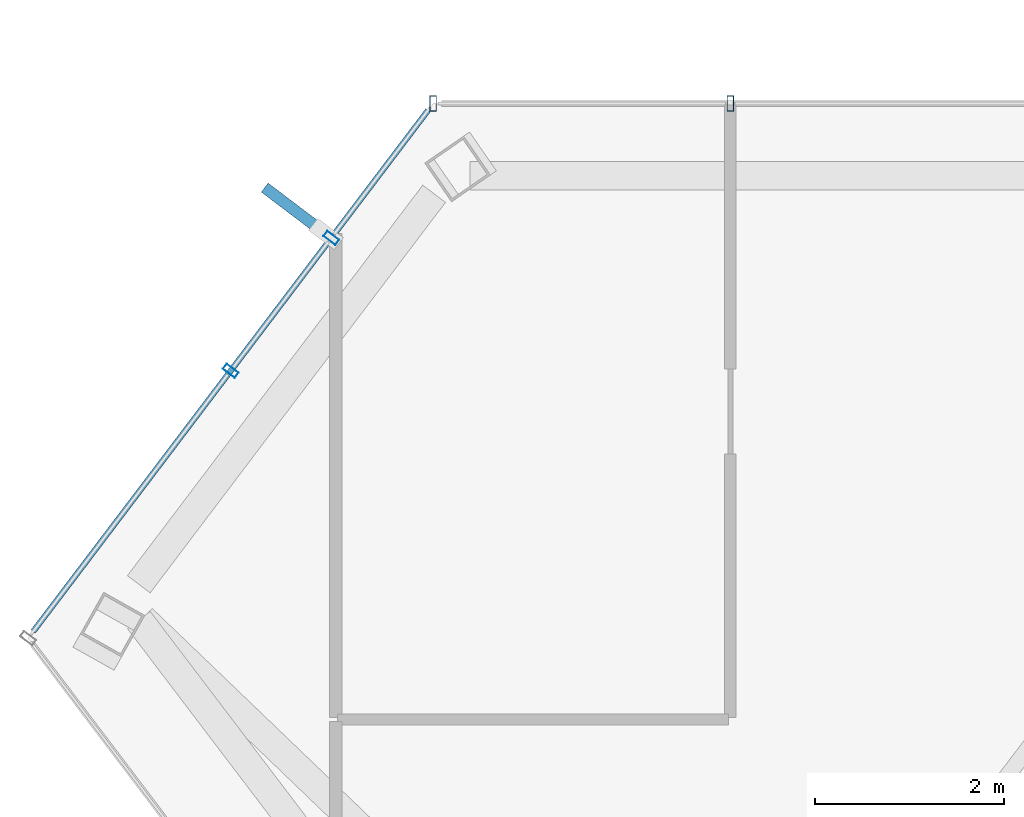
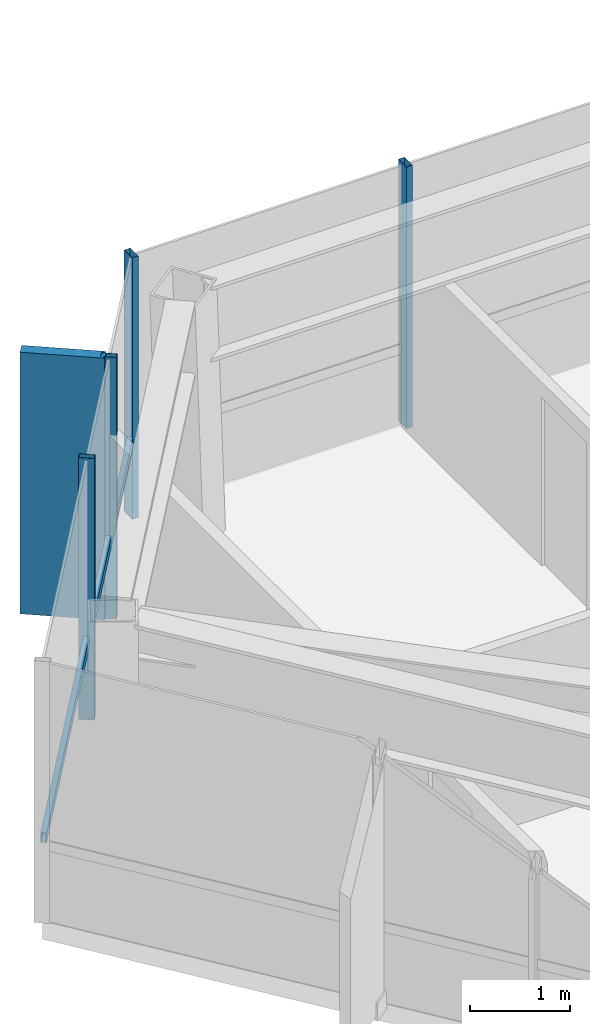
# One storey, part 11 of 26: 6 members, 2 elements without a shape of their own.
"""IFC4 building model written with IfcOpenShell, lengths in metres."""

import ifcopenshell
import ifcopenshell.guid

model = None  # the IFC model being written
_history = None  # IfcOwnerHistory: only IFC2X3 demands one
_inside = {}  # id of a spatial element -> (the spatial element, [elements in it])
_under = {}  # id of a project, library or spatial element -> (it, [spatial elements below it])
_declared = {}  # id of a project -> (the project, [libraries it declares])
_typed = {}  # id of a type object -> (the type object, [elements of that type])
_made_of = {}  # id of a material, layer set ... -> (it, [elements and type objects made of it])


def new_model(schema):
    """Start an empty IFC model of exactly this schema.

    Asked for "IFC4X3", IfcOpenShell would pick the latest addendum, in which some entities
    have other attributes; the version numbers below select the first issue.
    IFC2X3 requires an IfcOwnerHistory on every rooted entity: one is made here for all.
    """
    global model, _history
    if schema == "IFC4X3":
        model = ifcopenshell.file(schema_version=(4, 3, 0, 0))
    else:
        model = ifcopenshell.file(schema=schema)
    _inside.clear()
    _under.clear()
    _declared.clear()
    _typed.clear()
    _made_of.clear()
    _history = None
    if model.schema == "IFC2X3":
        org = make("IfcOrganization", Name="unknown")
        user = make(
            "IfcPersonAndOrganization",
            ThePerson=make("IfcPerson", FamilyName="unknown"),
            TheOrganization=org,
        )
        app = make(
            "IfcApplication",
            ApplicationDeveloper=org,
            Version="unknown",
            ApplicationFullName="unknown",
            ApplicationIdentifier="unknown",
        )
        _history = make(
            "IfcOwnerHistory",
            OwningUser=user,
            OwningApplication=app,
            ChangeAction="ADDED",
            CreationDate=0,
        )
    return model


def make(cls, **values):
    """One entity of the class cls with the attributes given. An attribute that is None is left unset."""
    return model.create_entity(
        cls, **{name: value for name, value in values.items() if value is not None}
    )


def rooted(cls, **values):
    """An entity with a GlobalId (a new one), such as an element, a storey or a relation."""
    return make(cls, GlobalId=ifcopenshell.guid.new(), OwnerHistory=_history, **values)


def si_unit(unit_type, name, prefix=None):
    """IfcSIUnit, for example si_unit("LENGTHUNIT", "METRE", prefix="MILLI")."""
    return make("IfcSIUnit", UnitType=unit_type, Prefix=prefix, Name=name)


def assignment(units):
    """IfcUnitAssignment: the units of a project."""
    return None if units is None else make("IfcUnitAssignment", Units=units)


def point(xyz):
    """IfcCartesianPoint."""
    return None if xyz is None else make("IfcCartesianPoint", Coordinates=xyz)


def direction(xyz):
    """IfcDirection."""
    return None if xyz is None else make("IfcDirection", DirectionRatios=xyz)


def frame(location, z_axis=None, x_axis=None):
    """IfcAxis2Placement3D, a coordinate frame: its origin and axes. An axis left out is left unset."""
    return make(
        "IfcAxis2Placement3D",
        Location=point(location),
        Axis=direction(z_axis),
        RefDirection=direction(x_axis),
    )


def frame_2d(location, x_axis=None):
    """IfcAxis2Placement2D, a coordinate frame in the plane: its origin and x axis."""
    return make(
        "IfcAxis2Placement2D", Location=point(location), RefDirection=direction(x_axis)
    )


def origin():
    """The frame at (0, 0, 0) with its axes left unset."""
    return frame((0.0, 0.0, 0.0))


def origin_2d():
    """The frame at (0, 0) in the plane with its x axis left unset."""
    return frame_2d((0.0, 0.0))


def place(relative_to, where):
    """IfcLocalPlacement: puts the frame where relative to a parent placement (None: the world)."""
    return make(
        "IfcLocalPlacement", PlacementRelTo=relative_to, RelativePlacement=where
    )


def context(
    kind, dimensions, precision=None, world=None, true_north=None, identifier=None
):
    """IfcGeometricRepresentationContext, for example the 3D "Model" context."""
    return make(
        "IfcGeometricRepresentationContext",
        ContextIdentifier=identifier,
        ContextType=kind,
        CoordinateSpaceDimension=dimensions,
        Precision=precision,
        WorldCoordinateSystem=world,
        TrueNorth=true_north,
    )


def subcontext(parent, identifier, kind, view, scale=None):
    """IfcGeometricRepresentationSubContext, for example "Body" below "Model"."""
    return make(
        "IfcGeometricRepresentationSubContext",
        ContextIdentifier=identifier,
        ContextType=kind,
        ParentContext=parent,
        TargetScale=scale,
        TargetView=view,
    )


def project(units=None, contexts=None):
    """IfcProject with its units and contexts."""
    return rooted(
        "IfcProject",
        Name="project",
        RepresentationContexts=contexts,
        UnitsInContext=assignment(units),
    )


def spatial(cls, under=None, at=None, **own):
    """A site, building, storey or space (cls), placed at a placement, below another one or the project."""
    s = rooted(cls, ObjectPlacement=at, **own)
    if under is not None:
        _under.setdefault(under.id(), (under, []))[1].append(s)
    return s


def profile(cls, at=None, kind="AREA", **sizes):
    """A parametric profile (cls). Its sizes go by their IFC names, for example OverallWidth=200.0."""
    return make(cls, ProfileType=kind, Position=at, **sizes)


def rectangle(**sizes):
    """IfcRectangleProfileDef."""
    return profile("IfcRectangleProfileDef", **sizes)


def hollow_rectangle(**sizes):
    """IfcRectangleHollowProfileDef."""
    return profile("IfcRectangleHollowProfileDef", **sizes)


def extrude(swept, where, along, depth):
    """IfcExtrudedAreaSolid: the profile swept, set in the frame where, extruded along a direction by depth."""
    return make(
        "IfcExtrudedAreaSolid",
        SweptArea=swept,
        Position=where,
        ExtrudedDirection=direction(along),
        Depth=depth,
    )


def shape(context_of_items, identifier, shape_type, items):
    """IfcShapeRepresentation: the items that make up one representation, for example the "Body"."""
    return make(
        "IfcShapeRepresentation",
        ContextOfItems=context_of_items,
        RepresentationIdentifier=identifier,
        RepresentationType=shape_type,
        Items=items,
    )


def material(Name=None, Category=None):
    """IfcMaterial."""
    return make("IfcMaterial", Name=Name, Category=Category)


def layer(
    of_material, thickness, ventilated=None, Name=None, Category=None, Priority=None
):
    """IfcMaterialLayer: one layer of a wall or slab, of a material (None: an air gap)."""
    return make(
        "IfcMaterialLayer",
        Material=of_material,
        LayerThickness=thickness,
        IsVentilated=ventilated,
        Name=Name,
        Category=Category,
        Priority=Priority,
    )


def layer_set(layers, Name=None):
    """IfcMaterialLayerSet."""
    return make("IfcMaterialLayerSet", MaterialLayers=layers, LayerSetName=Name)


def material_profile(
    of_material, cross_section, Name=None, Category=None, Priority=None
):
    """IfcMaterialProfile: a cross section and its material."""
    return make(
        "IfcMaterialProfile",
        Name=Name,
        Material=of_material,
        Profile=cross_section,
        Priority=Priority,
        Category=Category,
    )


def profile_set(profiles, Name=None, composite=None):
    """IfcMaterialProfileSet."""
    return make(
        "IfcMaterialProfileSet",
        Name=Name,
        MaterialProfiles=profiles,
        CompositeProfile=composite,
    )


def made_of(thing, what):
    """Note that an element or type object is made of a material, layer set ...; save() writes the relation."""
    if what is not None:
        _made_of.setdefault(what.id(), (what, []))[1].append(thing)
    return thing


def type_object(cls, material=None, **own):
    """A type object (cls), such as IfcWallType, which elements share."""
    return made_of(rooted(cls, **own), material)


def element(
    cls,
    number,
    at=None,
    inside=None,
    cuts=None,
    type_object=None,
    material=None,
    context=None,
    identifier="Body",
    shape_type=None,
    held_by="IfcProductDefinitionShape",
    body=None,
    shapes=None,
    **own,
):
    """One element of the class cls, such as IfcWall. Its Tag is "e" and its number.

    at: its placement. inside: the storey or other place that contains it. cuts: it is an
    opening in that element (IfcRelVoidsElement). A single representation is given by context,
    identifier, shape_type and body (its items); several are given by shapes. held_by: the class
    of the entity that holds the representations. save() writes the other relations.
    """
    e = rooted(cls, Tag="e%d" % number, ObjectPlacement=at, **own)
    if body is not None:
        shapes = [shape(context, identifier, shape_type, body)]
    if shapes is not None:
        e.Representation = make(held_by, Representations=shapes)
    if inside is not None:
        _inside.setdefault(inside.id(), (inside, []))[1].append(e)
    if cuts is not None:
        rooted(
            "IfcRelVoidsElement", RelatingBuildingElement=cuts, RelatedOpeningElement=e
        )
    if type_object is not None:
        _typed.setdefault(type_object.id(), (type_object, []))[1].append(e)
    return made_of(e, material)


def aggregate(whole, parts):
    """IfcRelAggregates: a whole, such as a stair, and the parts it consists of."""
    return rooted("IfcRelAggregates", RelatingObject=whole, RelatedObjects=parts)


def save(model, path):
    """Write the relations noted so far, then the file.

    IfcRelAggregates (storeys below a building ...), IfcRelContainedInSpatialStructure (elements
    in a storey), IfcRelDefinesByType, IfcRelAssociatesMaterial and IfcRelDeclares: one each for
    every whole, place, type object, material and project.
    """
    for whole, parts in _under.values():
        aggregate(whole, parts)
    for where, things in _inside.values():
        rooted(
            "IfcRelContainedInSpatialStructure",
            RelatedElements=things,
            RelatingStructure=where,
        )
    for kind, things in _typed.values():
        rooted("IfcRelDefinesByType", RelatedObjects=things, RelatingType=kind)
    for what, things in _made_of.values():
        rooted("IfcRelAssociatesMaterial", RelatedObjects=things, RelatingMaterial=what)
    for by, libraries in _declared.values():
        rooted("IfcRelDeclares", RelatingContext=by, RelatedDefinitions=libraries)
    model.write(path)


model = new_model("IFC4")

# Units and contexts
model_context = context("Model", 3, precision=1e-05, world=origin(), true_north=direction((0.0, 1.0)))
body_context = subcontext(model_context, "Body", "Model", "MODEL_VIEW")
ifc_project = project(units=[si_unit("LENGTHUNIT", "METRE"), si_unit("AREAUNIT", "SQUARE_METRE"), si_unit("VOLUMEUNIT", "CUBIC_METRE"), si_unit("PLANEANGLEUNIT", "RADIAN"), si_unit("MASSUNIT", "GRAM", prefix="KILO")], contexts=[model_context])

# Site, building, storey
site_placement = place(None, origin())
site = spatial("IfcSite", under=ifc_project, at=site_placement, CompositionType="ELEMENT")
building_placement = place(site_placement, origin())
building = spatial("IfcBuilding", under=site, at=building_placement, Name="Zarrinselat Tower", CompositionType="ELEMENT")
storey_placement = place(building_placement, frame((0.0, 0.0, 265.199951171875)))
storey = spatial("IfcBuildingStorey", under=building, at=storey_placement, Name="L67", CompositionType="ELEMENT", Elevation=265.199951171875)

# Curtain wall, members
ifc_material_1 = material(Name="Extruded Aluminium Alloy EN AW-6063 T6", Category="aluminium")
ifc_layer = layer(ifc_material_1, 0.169921875)
ifc_layer_set = layer_set([ifc_layer], Name="Extruded Aluminium Alloy EN AW-6063 T6")
curtain_wall_type = type_object("IfcCurtainWallType", Name="CWS-RES", PredefinedType="NOTDEFINED", material=ifc_layer_set)
curtain_wall_1_placement = place(storey_placement, origin())
curtain_wall_1 = element("IfcCurtainWall", 1, at=curtain_wall_1_placement, inside=storey, type_object=curtain_wall_type, Name="L67 Unitised Curtain Wall CW-L67-E01", PredefinedType="NOTDEFINED")
ifc_material_2 = material(Name="Extruded Aluminium Alloy EN AW-6063 T6", Category="aluminium")
ifc_material_profile_1 = material_profile(ifc_material_2, hollow_rectangle(XDim=0.070068359375, YDim=0.159912109375, WallThickness=0.00390625, at=origin_2d()), Name="RHS 160x70x4")
ifc_profile_set_1 = profile_set([ifc_material_profile_1], Name="Extruded Aluminium Alloy EN AW-6063 T6")
member_type_1 = type_object("IfcMemberType", Name="MEM-CW-MUL2", PredefinedType="MULLION", material=ifc_profile_set_1)
member_1_placement = place(storey_placement, frame((23.3037109375, 47.86669921875, 0.0), z_axis=(0.0, 0.0, 1.0), x_axis=(-1.0, 0.0, 0.0)))
member_1 = element("IfcMember", 2, at=member_1_placement, type_object=member_type_1, Name="CW-L67-E01 Mullion 10", PredefinedType="MULLION", context=body_context, shape_type="SweptSolid", body=[
    extrude(hollow_rectangle(XDim=0.070068359375, YDim=0.159912109375, WallThickness=0.00390625, at=origin_2d()), origin(), (0.0, 0.0, 1.0), 3.179931640625),
])
member_2_placement = place(storey_placement, frame((20.1533203125, 47.86669921875, 0.0), z_axis=(0.0, 0.0, 1.0), x_axis=(-1.0, 0.0, 0.0)))
member_2 = element("IfcMember", 3, at=member_2_placement, type_object=member_type_1, Name="CW-L67-E01 Mullion 11", PredefinedType="MULLION", context=body_context, shape_type="SweptSolid", body=[
    extrude(hollow_rectangle(XDim=0.070068359375, YDim=0.159912109375, WallThickness=0.00390625, at=origin_2d()), origin(), (0.0, 0.0, 1.0), 3.179931640625),
])
aggregate(curtain_wall_1, [member_1, member_2])

curtain_wall_2_placement = place(storey_placement, origin())
curtain_wall_2 = element("IfcCurtainWall", 4, at=curtain_wall_2_placement, inside=storey, type_object=curtain_wall_type, Name="L67 Unitised Curtain Wall CW-L67-E02", PredefinedType="NOTDEFINED")
member_3_placement = place(storey_placement, frame((19.07373046875, 46.441650390625, 0.0), z_axis=(0.0, 0.0, 1.0), x_axis=(-0.60385470922, -0.797094404793, 0.0)))
member_3 = element("IfcMember", 5, at=member_3_placement, type_object=member_type_1, Name="CW-L67-E02 Mullion 1", PredefinedType="MULLION", context=body_context, shape_type="SweptSolid", body=[
    extrude(hollow_rectangle(XDim=0.070068359375, YDim=0.159912109375, WallThickness=0.00390625, at=origin_2d()), origin(), (0.0, 0.0, 1.0), 3.179931640625),
])
member_4_placement = place(storey_placement, frame((18.006591796875, 45.033203125, 0.0), z_axis=(0.0, 0.0, 1.0), x_axis=(-0.60385470922, -0.797094404793, 0.0)))
member_4 = element("IfcMember", 6, at=member_4_placement, type_object=member_type_1, Name="CW-L67-E02 Mullion 2", PredefinedType="MULLION", context=body_context, shape_type="SweptSolid", body=[
    extrude(hollow_rectangle(XDim=0.070068359375, YDim=0.159912109375, WallThickness=0.00390625, at=origin_2d()), origin(), (0.0, 0.0, 1.0), 3.179931640625),
])
ifc_material_3 = material(Name="Extruded Aluminium Alloy EN AW-6063 T6", Category="aluminium")
ifc_material_profile_2 = material_profile(ifc_material_3, hollow_rectangle(XDim=0.06005859375, YDim=0.1201171875, WallThickness=0.00390625, at=origin_2d()), Name="RHS 120x60x4")
ifc_profile_set_2 = profile_set([ifc_material_profile_2], Name="Extruded Aluminium Alloy EN AW-6063 T6")
member_type_2 = type_object("IfcMemberType", Name="MEM-CW-TRN2", PredefinedType="USERDEFINED", material=ifc_profile_set_2)
member_5_placement = place(storey_placement, frame((20.09912109375, 47.794921875, 0.949951171875), z_axis=(-0.603876679936, -0.797077759964, 0.0), x_axis=(0.797077759964, -0.603876679936, 0.0)))
member_5 = element("IfcMember", 7, at=member_5_placement, type_object=member_type_2, Name="CW-L67-E02 Transom 1", ObjectType="TRANSOM", PredefinedType="USERDEFINED", context=body_context, shape_type="SweptSolid", body=[
    extrude(hollow_rectangle(XDim=0.06005859375, YDim=0.1201171875, WallThickness=0.00390625, at=origin_2d()), origin(), (0.0, 0.0, 1.0), 6.929931640625),
])
ifc_material_4 = material(Name="Honed Cream Travertine Stone", Category="masonry")
ifc_material_profile_3 = material_profile(ifc_material_4, rectangle(XDim=0.1201171875, YDim=0.85009765625, at=origin_2d()), Name="FIN 850x120")
ifc_profile_set_3 = profile_set([ifc_material_profile_3], Name="Honed Cream Travertine Stone")
member_type_3 = type_object("IfcMemberType", Name="MEM-STONE-FIN", PredefinedType="USERDEFINED", material=ifc_profile_set_3)
member_6_placement = place(storey_placement, frame((18.70703125, 46.719482421875, 0.0), z_axis=(0.0, 0.0, 1.0), x_axis=(0.60385470922, 0.797094404793, 0.0)))
member_6 = element("IfcMember", 8, at=member_6_placement, type_object=member_type_3, Name="L67 Stone Shading Fin CW-L67-E02-01", ObjectType="FIN", PredefinedType="USERDEFINED", context=body_context, shape_type="SweptSolid", body=[
    extrude(rectangle(XDim=0.1201171875, YDim=0.85009765625, at=origin_2d()), origin(), (0.0, 0.0, 1.0), 3.179931640625),
])
aggregate(curtain_wall_2, [member_3, member_6, member_4, member_5])

save(model, "model.ifc")
